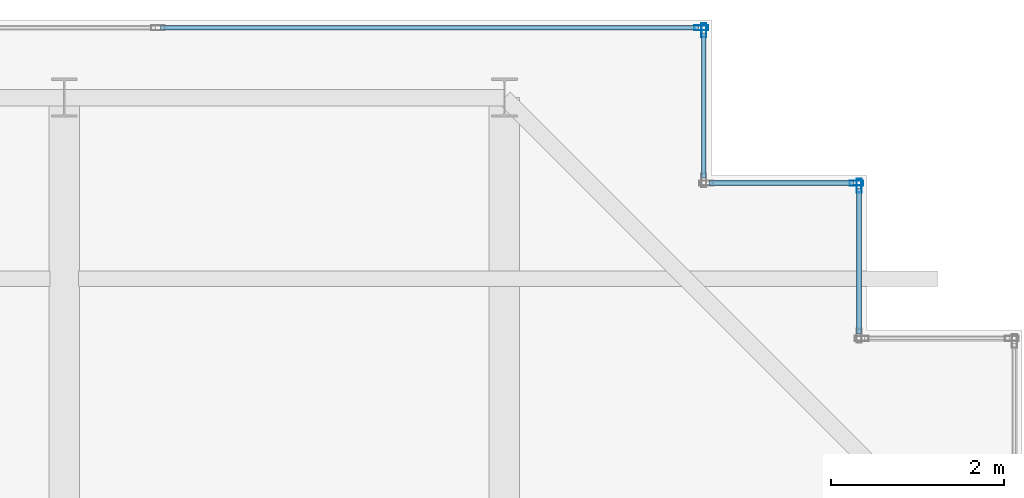
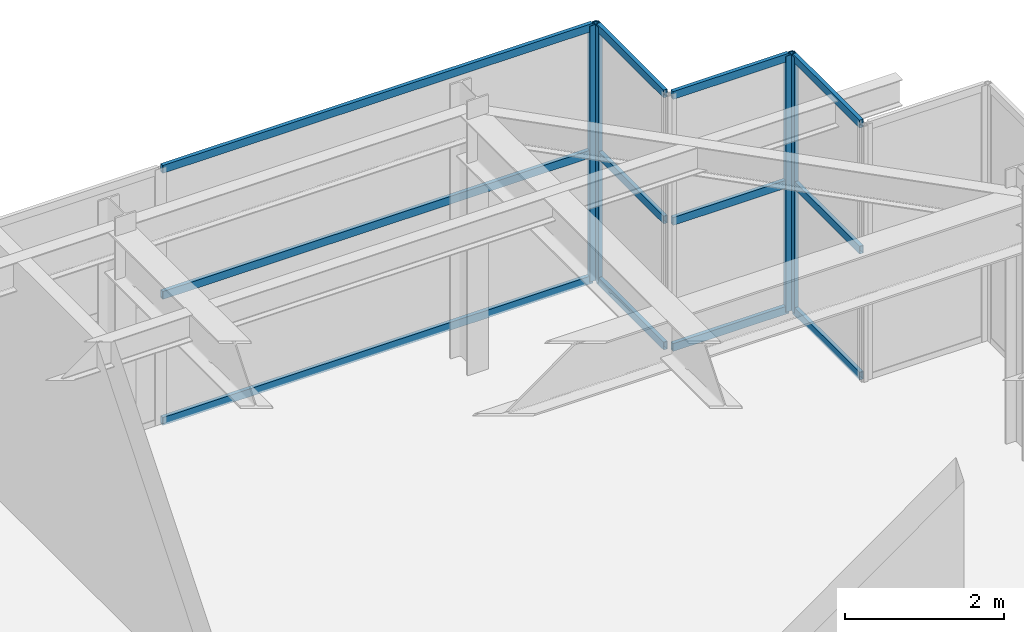
# One storey, part 28 of 32: 16 members, 4 elements without a shape of their own.
"""IFC4 building model written with IfcOpenShell, lengths in metres."""

import ifcopenshell
import ifcopenshell.guid

model = None  # the IFC model being written
_history = None  # IfcOwnerHistory: only IFC2X3 demands one
_inside = {}  # id of a spatial element -> (the spatial element, [elements in it])
_under = {}  # id of a project, library or spatial element -> (it, [spatial elements below it])
_declared = {}  # id of a project -> (the project, [libraries it declares])
_typed = {}  # id of a type object -> (the type object, [elements of that type])
_made_of = {}  # id of a material, layer set ... -> (it, [elements and type objects made of it])


def new_model(schema):
    """Start an empty IFC model of exactly this schema.

    Asked for "IFC4X3", IfcOpenShell would pick the latest addendum, in which some entities
    have other attributes; the version numbers below select the first issue.
    IFC2X3 requires an IfcOwnerHistory on every rooted entity: one is made here for all.
    """
    global model, _history
    if schema == "IFC4X3":
        model = ifcopenshell.file(schema_version=(4, 3, 0, 0))
    else:
        model = ifcopenshell.file(schema=schema)
    _inside.clear()
    _under.clear()
    _declared.clear()
    _typed.clear()
    _made_of.clear()
    _history = None
    if model.schema == "IFC2X3":
        org = make("IfcOrganization", Name="unknown")
        user = make(
            "IfcPersonAndOrganization",
            ThePerson=make("IfcPerson", FamilyName="unknown"),
            TheOrganization=org,
        )
        app = make(
            "IfcApplication",
            ApplicationDeveloper=org,
            Version="unknown",
            ApplicationFullName="unknown",
            ApplicationIdentifier="unknown",
        )
        _history = make(
            "IfcOwnerHistory",
            OwningUser=user,
            OwningApplication=app,
            ChangeAction="ADDED",
            CreationDate=0,
        )
    return model


def make(cls, **values):
    """One entity of the class cls with the attributes given. An attribute that is None is left unset."""
    return model.create_entity(
        cls, **{name: value for name, value in values.items() if value is not None}
    )


def rooted(cls, **values):
    """An entity with a GlobalId (a new one), such as an element, a storey or a relation."""
    return make(cls, GlobalId=ifcopenshell.guid.new(), OwnerHistory=_history, **values)


def si_unit(unit_type, name, prefix=None):
    """IfcSIUnit, for example si_unit("LENGTHUNIT", "METRE", prefix="MILLI")."""
    return make("IfcSIUnit", UnitType=unit_type, Prefix=prefix, Name=name)


def assignment(units):
    """IfcUnitAssignment: the units of a project."""
    return None if units is None else make("IfcUnitAssignment", Units=units)


def point(xyz):
    """IfcCartesianPoint."""
    return None if xyz is None else make("IfcCartesianPoint", Coordinates=xyz)


def direction(xyz):
    """IfcDirection."""
    return None if xyz is None else make("IfcDirection", DirectionRatios=xyz)


def frame(location, z_axis=None, x_axis=None):
    """IfcAxis2Placement3D, a coordinate frame: its origin and axes. An axis left out is left unset."""
    return make(
        "IfcAxis2Placement3D",
        Location=point(location),
        Axis=direction(z_axis),
        RefDirection=direction(x_axis),
    )


def frame_2d(location, x_axis=None):
    """IfcAxis2Placement2D, a coordinate frame in the plane: its origin and x axis."""
    return make(
        "IfcAxis2Placement2D", Location=point(location), RefDirection=direction(x_axis)
    )


def origin():
    """The frame at (0, 0, 0) with its axes left unset."""
    return frame((0.0, 0.0, 0.0))


def origin_2d():
    """The frame at (0, 0) in the plane with its x axis left unset."""
    return frame_2d((0.0, 0.0))


def place(relative_to, where):
    """IfcLocalPlacement: puts the frame where relative to a parent placement (None: the world)."""
    return make(
        "IfcLocalPlacement", PlacementRelTo=relative_to, RelativePlacement=where
    )


def context(
    kind, dimensions, precision=None, world=None, true_north=None, identifier=None
):
    """IfcGeometricRepresentationContext, for example the 3D "Model" context."""
    return make(
        "IfcGeometricRepresentationContext",
        ContextIdentifier=identifier,
        ContextType=kind,
        CoordinateSpaceDimension=dimensions,
        Precision=precision,
        WorldCoordinateSystem=world,
        TrueNorth=true_north,
    )


def subcontext(parent, identifier, kind, view, scale=None):
    """IfcGeometricRepresentationSubContext, for example "Body" below "Model"."""
    return make(
        "IfcGeometricRepresentationSubContext",
        ContextIdentifier=identifier,
        ContextType=kind,
        ParentContext=parent,
        TargetScale=scale,
        TargetView=view,
    )


def project(units=None, contexts=None):
    """IfcProject with its units and contexts."""
    return rooted(
        "IfcProject",
        Name="project",
        RepresentationContexts=contexts,
        UnitsInContext=assignment(units),
    )


def spatial(cls, under=None, at=None, **own):
    """A site, building, storey or space (cls), placed at a placement, below another one or the project."""
    s = rooted(cls, ObjectPlacement=at, **own)
    if under is not None:
        _under.setdefault(under.id(), (under, []))[1].append(s)
    return s


def profile(cls, at=None, kind="AREA", **sizes):
    """A parametric profile (cls). Its sizes go by their IFC names, for example OverallWidth=200.0."""
    return make(cls, ProfileType=kind, Position=at, **sizes)


def hollow_rectangle(**sizes):
    """IfcRectangleHollowProfileDef."""
    return profile("IfcRectangleHollowProfileDef", **sizes)


def extrude(swept, where, along, depth):
    """IfcExtrudedAreaSolid: the profile swept, set in the frame where, extruded along a direction by depth."""
    return make(
        "IfcExtrudedAreaSolid",
        SweptArea=swept,
        Position=where,
        ExtrudedDirection=direction(along),
        Depth=depth,
    )


def shape(context_of_items, identifier, shape_type, items):
    """IfcShapeRepresentation: the items that make up one representation, for example the "Body"."""
    return make(
        "IfcShapeRepresentation",
        ContextOfItems=context_of_items,
        RepresentationIdentifier=identifier,
        RepresentationType=shape_type,
        Items=items,
    )


def source(mapping_origin, context_of_items, identifier, shape_type, items):
    """IfcRepresentationMap: a shape defined once, which mapped items show again and again."""
    return make(
        "IfcRepresentationMap",
        MappingOrigin=mapping_origin,
        MappedRepresentation=shape(context_of_items, identifier, shape_type, items),
    )


def transform(
    local_origin,
    x_axis=None,
    y_axis=None,
    z_axis=None,
    scale=None,
    scale2=None,
    scale3=None,
    uniform=True,
):
    """IfcCartesianTransformationOperator3D, or its non-uniform kind. x_axis, y_axis, z_axis: its Axis1, 2, 3."""
    if uniform:
        return make(
            "IfcCartesianTransformationOperator3D",
            Axis1=direction(x_axis),
            Axis2=direction(y_axis),
            LocalOrigin=point(local_origin),
            Scale=scale,
            Axis3=direction(z_axis),
        )
    return make(
        "IfcCartesianTransformationOperator3DnonUniform",
        Axis1=direction(x_axis),
        Axis2=direction(y_axis),
        LocalOrigin=point(local_origin),
        Scale=scale,
        Axis3=direction(z_axis),
        Scale2=scale2,
        Scale3=scale3,
    )


def mapped(mapping_source, mapping_target):
    """IfcMappedItem: shows the shape of a source again, moved by a transform."""
    return make(
        "IfcMappedItem", MappingSource=mapping_source, MappingTarget=mapping_target
    )


def material(Name=None, Category=None):
    """IfcMaterial."""
    return make("IfcMaterial", Name=Name, Category=Category)


def layer(
    of_material, thickness, ventilated=None, Name=None, Category=None, Priority=None
):
    """IfcMaterialLayer: one layer of a wall or slab, of a material (None: an air gap)."""
    return make(
        "IfcMaterialLayer",
        Material=of_material,
        LayerThickness=thickness,
        IsVentilated=ventilated,
        Name=Name,
        Category=Category,
        Priority=Priority,
    )


def layer_set(layers, Name=None):
    """IfcMaterialLayerSet."""
    return make("IfcMaterialLayerSet", MaterialLayers=layers, LayerSetName=Name)


def material_profile(
    of_material, cross_section, Name=None, Category=None, Priority=None
):
    """IfcMaterialProfile: a cross section and its material."""
    return make(
        "IfcMaterialProfile",
        Name=Name,
        Material=of_material,
        Profile=cross_section,
        Priority=Priority,
        Category=Category,
    )


def profile_set(profiles, Name=None, composite=None):
    """IfcMaterialProfileSet."""
    return make(
        "IfcMaterialProfileSet",
        Name=Name,
        MaterialProfiles=profiles,
        CompositeProfile=composite,
    )


def made_of(thing, what):
    """Note that an element or type object is made of a material, layer set ...; save() writes the relation."""
    if what is not None:
        _made_of.setdefault(what.id(), (what, []))[1].append(thing)
    return thing


def type_object(cls, material=None, **own):
    """A type object (cls), such as IfcWallType, which elements share."""
    return made_of(rooted(cls, **own), material)


def element(
    cls,
    number,
    at=None,
    inside=None,
    cuts=None,
    type_object=None,
    material=None,
    context=None,
    identifier="Body",
    shape_type=None,
    held_by="IfcProductDefinitionShape",
    body=None,
    shapes=None,
    **own,
):
    """One element of the class cls, such as IfcWall. Its Tag is "e" and its number.

    at: its placement. inside: the storey or other place that contains it. cuts: it is an
    opening in that element (IfcRelVoidsElement). A single representation is given by context,
    identifier, shape_type and body (its items); several are given by shapes. held_by: the class
    of the entity that holds the representations. save() writes the other relations.
    """
    e = rooted(cls, Tag="e%d" % number, ObjectPlacement=at, **own)
    if body is not None:
        shapes = [shape(context, identifier, shape_type, body)]
    if shapes is not None:
        e.Representation = make(held_by, Representations=shapes)
    if inside is not None:
        _inside.setdefault(inside.id(), (inside, []))[1].append(e)
    if cuts is not None:
        rooted(
            "IfcRelVoidsElement", RelatingBuildingElement=cuts, RelatedOpeningElement=e
        )
    if type_object is not None:
        _typed.setdefault(type_object.id(), (type_object, []))[1].append(e)
    return made_of(e, material)


def aggregate(whole, parts):
    """IfcRelAggregates: a whole, such as a stair, and the parts it consists of."""
    return rooted("IfcRelAggregates", RelatingObject=whole, RelatedObjects=parts)


def save(model, path):
    """Write the relations noted so far, then the file.

    IfcRelAggregates (storeys below a building ...), IfcRelContainedInSpatialStructure (elements
    in a storey), IfcRelDefinesByType, IfcRelAssociatesMaterial and IfcRelDeclares: one each for
    every whole, place, type object, material and project.
    """
    for whole, parts in _under.values():
        aggregate(whole, parts)
    for where, things in _inside.values():
        rooted(
            "IfcRelContainedInSpatialStructure",
            RelatedElements=things,
            RelatingStructure=where,
        )
    for kind, things in _typed.values():
        rooted("IfcRelDefinesByType", RelatedObjects=things, RelatingType=kind)
    for what, things in _made_of.values():
        rooted("IfcRelAssociatesMaterial", RelatedObjects=things, RelatingMaterial=what)
    for by, libraries in _declared.values():
        rooted("IfcRelDeclares", RelatingContext=by, RelatedDefinitions=libraries)
    model.write(path)


model = new_model("IFC4")

# Units and contexts
model_context = context("Model", 3, precision=1e-05, world=origin(), true_north=direction((0.0, 1.0)))
body_context = subcontext(model_context, "Body", "Model", "MODEL_VIEW")
ifc_project = project(units=[si_unit("LENGTHUNIT", "METRE"), si_unit("AREAUNIT", "SQUARE_METRE"), si_unit("VOLUMEUNIT", "CUBIC_METRE"), si_unit("PLANEANGLEUNIT", "RADIAN"), si_unit("MASSUNIT", "GRAM", prefix="KILO")], contexts=[model_context])

# Site, building, storey
site_placement = place(None, origin())
site = spatial("IfcSite", under=ifc_project, at=site_placement, CompositionType="ELEMENT")
building_placement = place(site_placement, origin())
building = spatial("IfcBuilding", under=site, at=building_placement, Name="Khoralis Quay Care Tower", CompositionType="ELEMENT")
storey_placement = place(building_placement, frame((0.0, 0.0, 306.300048828125)))
storey = spatial("IfcBuildingStorey", under=building, at=storey_placement, Name="L80", CompositionType="ELEMENT", Elevation=306.300048828125)

# Curtain wall, members
ifc_material = material(Name="Pale anodised aluminium", Category="aluminium")
ifc_layer = layer(ifc_material, 0.199951171875)
ifc_layer_set = layer_set([ifc_layer], Name="Pale anodised aluminium")
curtain_wall_type = type_object("IfcCurtainWallType", Name="CW-SYS-LANTERN", PredefinedType="NOTDEFINED", material=ifc_layer_set)
curtain_wall_1_placement = place(storey_placement, origin())
curtain_wall_1 = element("IfcCurtainWall", 1, at=curtain_wall_1_placement, inside=storey, type_object=curtain_wall_type, Name="L80 Unitised Curtain Wall CW-LN-L80-11", PredefinedType="NOTDEFINED")
ifc_material_profile_1 = material_profile(ifc_material, hollow_rectangle(XDim=0.054931640625, YDim=0.1201171875, WallThickness=0.00390625, at=origin_2d()), Name="Pale anodised aluminium")
ifc_profile_set_1 = profile_set([ifc_material_profile_1], Name="Pale anodised aluminium")
member_type_1 = type_object("IfcMemberType", Name="CW-TRN-120", PredefinedType="USERDEFINED", material=ifc_profile_set_1)
shared_shape_1 = source(origin(), body_context, "Body", "SweptSolid", [
    extrude(hollow_rectangle(XDim=0.054931640625, YDim=0.1201171875, WallThickness=0.00390625, at=origin_2d()), origin(), (0.0, 0.0, 1.0), 6.23388671875),
])
member_1_placement = place(storey_placement, frame((38.25, 41.909912109375, 0.030029296875), z_axis=(-1.0, 0.0, 0.0), x_axis=(0.0, -1.0, 0.0)))
member_1 = element("IfcMember", 2, at=member_1_placement, type_object=member_type_1, Name="CW5 transom 1.1", ObjectType="TRANSOM", PredefinedType="USERDEFINED", context=body_context, shape_type="MappedRepresentation", body=[
    mapped(shared_shape_1, transform((0.0, 0.0, 0.0), scale=1.0)),
])
member_2_placement = place(storey_placement, frame((38.25, 41.909912109375, 1.9599609375), z_axis=(-1.0, 0.0, 0.0), x_axis=(0.0, -1.0, 0.0)))
member_2 = element("IfcMember", 3, at=member_2_placement, type_object=member_type_1, Name="CW5 transom 1.2", ObjectType="TRANSOM", PredefinedType="USERDEFINED", context=body_context, shape_type="MappedRepresentation", body=[
    mapped(shared_shape_1, transform((0.0, 0.0, 0.0), scale=1.0)),
])
member_3_placement = place(storey_placement, frame((38.25, 41.909912109375, 3.889892578125), z_axis=(-1.0, 0.0, 0.0), x_axis=(0.0, -1.0, 0.0)))
member_3 = element("IfcMember", 4, at=member_3_placement, type_object=member_type_1, Name="CW5 transom 1.3", ObjectType="TRANSOM", PredefinedType="USERDEFINED", context=body_context, shape_type="MappedRepresentation", body=[
    mapped(shared_shape_1, transform((0.0, 0.0, 0.0), scale=1.0)),
])

curtain_wall_2_placement = place(storey_placement, origin())
curtain_wall_2 = element("IfcCurtainWall", 5, at=curtain_wall_2_placement, inside=storey, type_object=curtain_wall_type, Name="L80 Unitised Curtain Wall CW-LN-L80-10", PredefinedType="NOTDEFINED")
shared_shape_2 = source(origin(), body_context, "Body", "SweptSolid", [
    extrude(hollow_rectangle(XDim=0.054931640625, YDim=0.1201171875, WallThickness=0.00390625, at=origin_2d()), origin(), (0.0, 0.0, 1.0), 1.68017578125),
])
member_4_placement = place(storey_placement, frame((38.31005859375, 40.169921875, 0.030029296875), z_axis=(0.0, 1.0, 0.0), x_axis=(-1.0, 0.0, 0.0)))
member_4 = element("IfcMember", 6, at=member_4_placement, type_object=member_type_1, Name="CW5 transom 1.1", ObjectType="TRANSOM", PredefinedType="USERDEFINED", context=body_context, shape_type="MappedRepresentation", body=[
    mapped(shared_shape_2, transform((0.0, 0.0, 0.0), scale=1.0)),
])
member_5_placement = place(storey_placement, frame((38.31005859375, 40.169921875, 1.9599609375), z_axis=(0.0, 1.0, 0.0), x_axis=(-1.0, 0.0, 0.0)))
member_5 = element("IfcMember", 7, at=member_5_placement, type_object=member_type_1, Name="CW5 transom 1.2", ObjectType="TRANSOM", PredefinedType="USERDEFINED", context=body_context, shape_type="MappedRepresentation", body=[
    mapped(shared_shape_2, transform((0.0, 0.0, 0.0), scale=1.0)),
])
member_6_placement = place(storey_placement, frame((38.31005859375, 40.169921875, 3.889892578125), z_axis=(0.0, 1.0, 0.0), x_axis=(-1.0, 0.0, 0.0)))
member_6 = element("IfcMember", 8, at=member_6_placement, type_object=member_type_1, Name="CW5 transom 1.3", ObjectType="TRANSOM", PredefinedType="USERDEFINED", context=body_context, shape_type="MappedRepresentation", body=[
    mapped(shared_shape_2, transform((0.0, 0.0, 0.0), scale=1.0)),
])

curtain_wall_3_placement = place(storey_placement, origin())
curtain_wall_3 = element("IfcCurtainWall", 9, at=curtain_wall_3_placement, inside=storey, type_object=curtain_wall_type, Name="L80 Unitised Curtain Wall CW-LN-L80-08", PredefinedType="NOTDEFINED")
shared_shape_3 = source(origin(), body_context, "Body", "SweptSolid", [
    extrude(hollow_rectangle(XDim=0.054931640625, YDim=0.1201171875, WallThickness=0.00390625, at=origin_2d()), origin(), (0.0, 0.0, 1.0), 1.679931640625),
])
member_7_placement = place(storey_placement, frame((40.110107421875, 38.3701171875, 0.030029296875), z_axis=(0.0, 1.0, 0.0), x_axis=(-1.0, 0.0, 0.0)))
member_7 = element("IfcMember", 10, at=member_7_placement, type_object=member_type_1, Name="CW5 transom 1.1", ObjectType="TRANSOM", PredefinedType="USERDEFINED", context=body_context, shape_type="MappedRepresentation", body=[
    mapped(shared_shape_3, transform((0.0, 0.0, 0.0), scale=1.0)),
])
member_8_placement = place(storey_placement, frame((40.110107421875, 38.3701171875, 1.9599609375), z_axis=(0.0, 1.0, 0.0), x_axis=(-1.0, 0.0, 0.0)))
member_8 = element("IfcMember", 11, at=member_8_placement, type_object=member_type_1, Name="CW5 transom 1.2", ObjectType="TRANSOM", PredefinedType="USERDEFINED", context=body_context, shape_type="MappedRepresentation", body=[
    mapped(shared_shape_3, transform((0.0, 0.0, 0.0), scale=1.0)),
])
member_9_placement = place(storey_placement, frame((40.110107421875, 38.3701171875, 3.889892578125), z_axis=(0.0, 1.0, 0.0), x_axis=(-1.0, 0.0, 0.0)))
member_9 = element("IfcMember", 12, at=member_9_placement, type_object=member_type_1, Name="CW5 transom 1.3", ObjectType="TRANSOM", PredefinedType="USERDEFINED", context=body_context, shape_type="MappedRepresentation", body=[
    mapped(shared_shape_3, transform((0.0, 0.0, 0.0), scale=1.0)),
])

curtain_wall_4_placement = place(storey_placement, origin())
curtain_wall_4 = element("IfcCurtainWall", 13, at=curtain_wall_4_placement, inside=storey, type_object=curtain_wall_type, Name="L80 Unitised Curtain Wall CW-LN-L80-09", PredefinedType="NOTDEFINED")
member_10_placement = place(storey_placement, frame((40.050048828125, 40.110107421875, 0.030029296875), z_axis=(-1.0, 0.0, 0.0), x_axis=(0.0, -1.0, 0.0)))
member_10 = element("IfcMember", 14, at=member_10_placement, type_object=member_type_1, Name="CW5 transom 1.1", ObjectType="TRANSOM", PredefinedType="USERDEFINED", context=body_context, shape_type="MappedRepresentation", body=[
    mapped(shared_shape_3, transform((0.0, 0.0, 0.0), scale=1.0)),
])
member_11_placement = place(storey_placement, frame((40.050048828125, 40.110107421875, 1.9599609375), z_axis=(-1.0, 0.0, 0.0), x_axis=(0.0, -1.0, 0.0)))
member_11 = element("IfcMember", 15, at=member_11_placement, type_object=member_type_1, Name="CW5 transom 1.2", ObjectType="TRANSOM", PredefinedType="USERDEFINED", context=body_context, shape_type="MappedRepresentation", body=[
    mapped(shared_shape_3, transform((0.0, 0.0, 0.0), scale=1.0)),
])
member_12_placement = place(storey_placement, frame((40.050048828125, 40.110107421875, 3.889892578125), z_axis=(-1.0, 0.0, 0.0), x_axis=(0.0, -1.0, 0.0)))
member_12 = element("IfcMember", 16, at=member_12_placement, type_object=member_type_1, Name="CW5 transom 1.3", ObjectType="TRANSOM", PredefinedType="USERDEFINED", context=body_context, shape_type="MappedRepresentation", body=[
    mapped(shared_shape_3, transform((0.0, 0.0, 0.0), scale=1.0)),
])

# Member
ifc_material_profile_2 = material_profile(ifc_material, hollow_rectangle(XDim=0.06005859375, YDim=0.159912109375, WallThickness=0.00390625, at=origin_2d()), Name="Pale anodised aluminium")
ifc_profile_set_2 = profile_set([ifc_material_profile_2], Name="Pale anodised aluminium")
member_type_2 = type_object("IfcMemberType", Name="CW-MUL-160", PredefinedType="MULLION", material=ifc_profile_set_2)
shared_shape_4 = source(origin(), body_context, "Body", "SweptSolid", [
    extrude(hollow_rectangle(XDim=0.06005859375, YDim=0.159912109375, WallThickness=0.00390625, at=origin_2d()), origin(), (0.0, 0.0, 1.0), 3.919921875),
])
member_13_placement = place(storey_placement, frame((40.110107421875, 40.080078125, 0.0), z_axis=(0.0, 0.0, 1.0), x_axis=(-1.0, 0.0, 0.0)))
member_13 = element("IfcMember", 17, at=member_13_placement, type_object=member_type_2, Name="CW5 mullion 2", PredefinedType="MULLION", context=body_context, shape_type="MappedRepresentation", body=[
    mapped(shared_shape_4, transform((0.0, 0.0, 0.0), scale=1.0)),
])

aggregate(curtain_wall_3, [member_13, member_7, member_8, member_9])

member_14_placement = place(storey_placement, frame((40.080078125, 40.110107421875, 0.0), z_axis=(0.0, 0.0, 1.0), x_axis=(0.0, -1.0, 0.0)))
member_14 = element("IfcMember", 18, at=member_14_placement, type_object=member_type_2, Name="CW5 mullion 1", PredefinedType="MULLION", context=body_context, shape_type="MappedRepresentation", body=[
    mapped(shared_shape_4, transform((0.0, 0.0, 0.0), scale=1.0)),
])

aggregate(curtain_wall_4, [member_14, member_10, member_11, member_12])

member_15_placement = place(storey_placement, frame((38.31005859375, 41.8798828125, 0.0), z_axis=(0.0, 0.0, 1.0), x_axis=(-1.0, 0.0, 0.0)))
member_15 = element("IfcMember", 19, at=member_15_placement, type_object=member_type_2, Name="CW5 mullion 2", PredefinedType="MULLION", context=body_context, shape_type="MappedRepresentation", body=[
    mapped(shared_shape_4, transform((0.0, 0.0, 0.0), scale=1.0)),
])

aggregate(curtain_wall_2, [member_15, member_4, member_5, member_6])

member_16_placement = place(storey_placement, frame((38.280029296875, 41.909912109375, 0.0), z_axis=(0.0, 0.0, 1.0), x_axis=(0.0, -1.0, 0.0)))
member_16 = element("IfcMember", 20, at=member_16_placement, type_object=member_type_2, Name="CW5 mullion 1", PredefinedType="MULLION", context=body_context, shape_type="MappedRepresentation", body=[
    mapped(shared_shape_4, transform((0.0, 0.0, 0.0), scale=1.0)),
])

aggregate(curtain_wall_1, [member_16, member_1, member_2, member_3])

save(model, "model.ifc")
